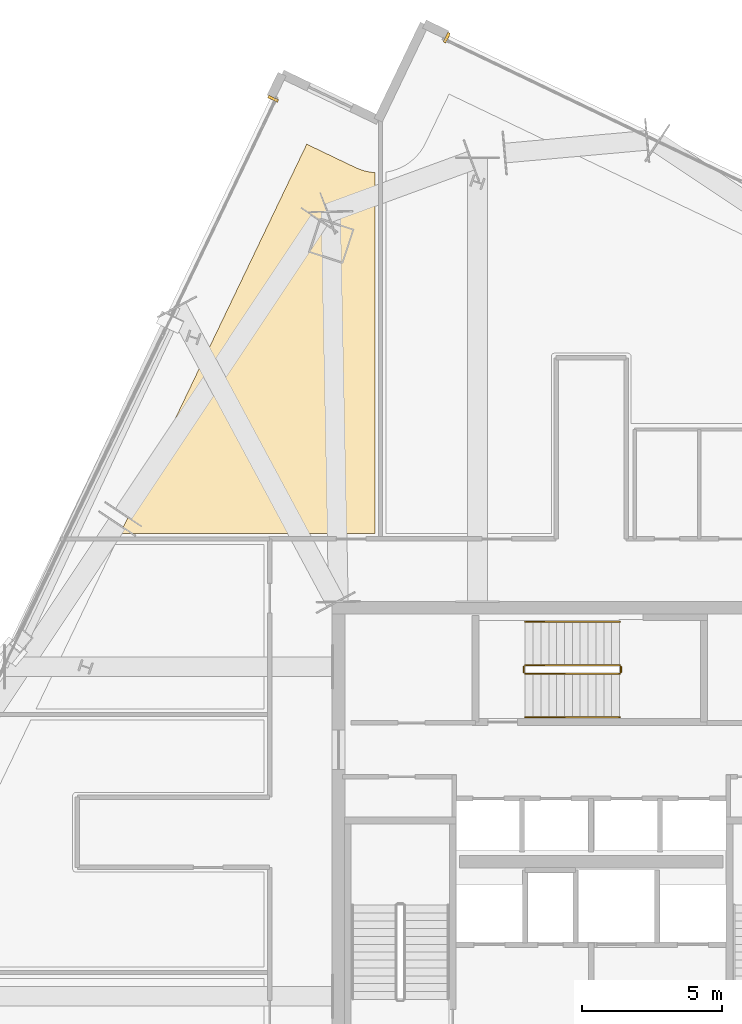
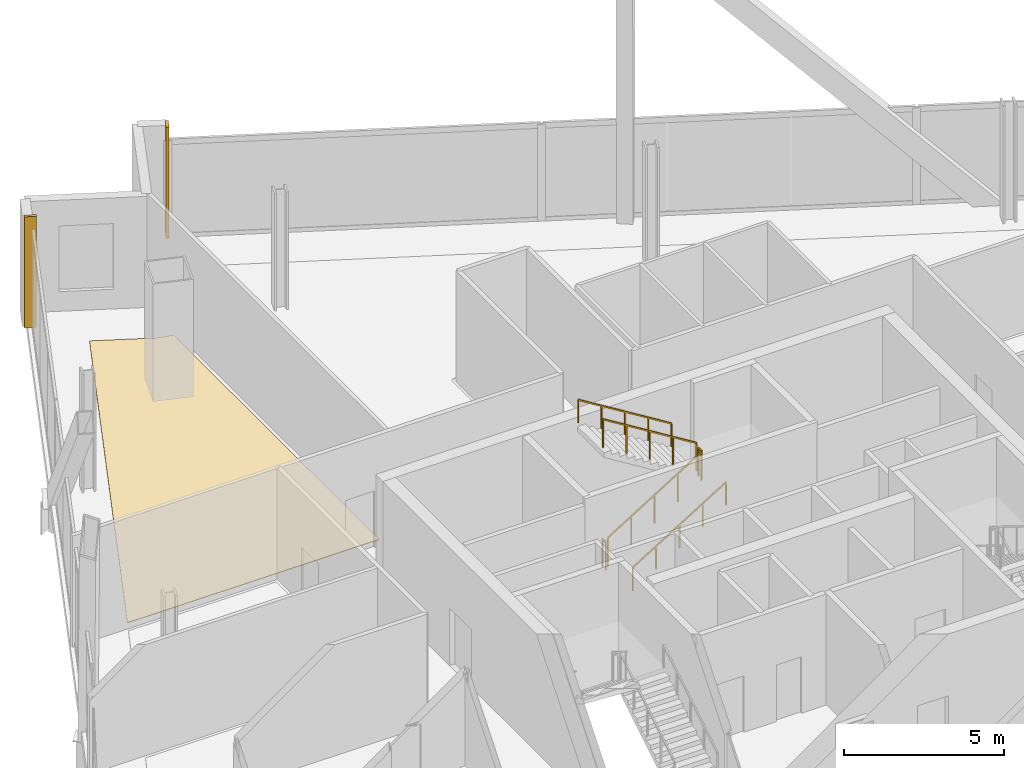
# One storey, part 23 of 24: 6 railings, 3 coverings.
"""IFC4 building model written with IfcOpenShell, lengths in metres."""

from ifc_helpers import new_model, si_unit, direction, frame, origin, origin_2d, place, context, subcontext, project, spatial, polyline, rectangle, outline, extrude, source, transform, mapped, material, layer, layer_set, type_object, element, save


model = new_model("IFC4")

# Units and contexts
model_context = context("Model", 3, precision=1e-05, world=origin(), true_north=direction((0.0, 1.0)))
body_context = subcontext(model_context, "Body", "Model", "MODEL_VIEW")
ifc_project = project(units=[si_unit("LENGTHUNIT", "METRE"), si_unit("AREAUNIT", "SQUARE_METRE"), si_unit("VOLUMEUNIT", "CUBIC_METRE"), si_unit("PLANEANGLEUNIT", "RADIAN"), si_unit("MASSUNIT", "GRAM", prefix="KILO")], contexts=[model_context])

# Site, building, storey
site_placement = place(None, origin())
site = spatial("IfcSite", under=ifc_project, at=site_placement, CompositionType="ELEMENT")
building_placement = place(site_placement, origin())
building = spatial("IfcBuilding", under=site, at=building_placement, Name="Haldenkirk Collegiate Tower", CompositionType="ELEMENT")
storey_placement = place(building_placement, frame((0.0, 0.0, 244.199951171875)))
storey = spatial("IfcBuildingStorey", under=building, at=storey_placement, Name="L61", CompositionType="ELEMENT", Elevation=244.199951171875)

# Covering
ifc_material_1 = material(Name="Polished collegiate terrazzo", Category="concrete")
ifc_layer_1 = layer(ifc_material_1, 0.02490234375)
ifc_layer_set_1 = layer_set([ifc_layer_1], Name="Polished collegiate terrazzo")
covering_type_1 = type_object("IfcCoveringType", Name="COV-FLOOR-TERRAZZO", PredefinedType="FLOORING", material=ifc_layer_set_1)
covering_placement = place(storey_placement, origin())
element("IfcCovering", 1, at=covering_placement, inside=storey, type_object=covering_type_1, Name="L61 academic room finish 04", PredefinedType="FLOORING", context=body_context, shape_type="SweptSolid", body=[
    extrude(outline(polyline([(27.608154296875, 49.6806640625), (27.613525390625, 49.67822265625), (27.77197265625, 49.61181640625), (27.783203125, 49.607666015625), (27.947265625, 49.556884765625), (27.95849609375, 49.553955078125), (28.126708984375, 49.519775390625), (28.138427734375, 49.517822265625), (28.300048828125, 49.501220703125), (28.300048828125, 36.64990234375), (19.22509765625, 36.64990234375), (25.86767578125, 50.514404296875), (27.608154296875, 49.6806640625)])), origin(), (0.0, 0.0, 1.0), 0.025146484375),
])

# Railings
ifc_material_2 = material(Name="Painted architectural tubular steel", Category="steel")
railing_type_1 = type_object("IfcRailingType", Name="RLG-STAIR-GUARD-1100", PredefinedType="BALUSTRADE", material=ifc_material_2)
railing_1_placement = place(storey_placement, frame((33.64990234375, 31.64990234375, 0.173095703125)))
element("IfcRailing", 2, at=railing_1_placement, inside=storey, type_object=railing_type_1, Name="L61 ST-3 stair guard 1", PredefinedType="BALUSTRADE", context=body_context, shape_type="SweptSolid", body=[
    extrude(rectangle(XDim=0.048095703125, YDim=0.048095703125, at=origin_2d()), frame((0.0, 0.0, 1.076171875), z_axis=(0.850623216509, 0.0, 0.525775754039), x_axis=(0.0, 1.0, 0.0)), (0.0, 0.0, 1.0), 3.9501953125),
    extrude(rectangle(XDim=0.0419921875, YDim=0.0419921875, at=origin_2d()), origin(), (0.0, 0.0, 1.0), 1.052001953125),
    extrude(rectangle(XDim=0.0419921875, YDim=0.0419921875, at=origin_2d()), frame((0.840087890625, 0.0, 0.519287109375)), (0.0, 0.0, 1.0), 1.052001953125),
    extrude(rectangle(XDim=0.0419921875, YDim=0.0419921875, at=origin_2d()), frame((1.68017578125, 0.0, 1.03857421875)), (0.0, 0.0, 1.0), 1.052001953125),
    extrude(rectangle(XDim=0.0419921875, YDim=0.0419921875, at=origin_2d()), frame((2.52001953125, 0.0, 1.5576171875)), (0.0, 0.0, 1.0), 1.052001953125),
    extrude(rectangle(XDim=0.0419921875, YDim=0.0419921875, at=origin_2d()), frame((3.360107421875, 0.0, 2.076904296875)), (0.0, 0.0, 1.0), 1.052001953125),
])
railing_2_placement = place(storey_placement, frame((37.06005859375, 31.699951171875, 2.25)))
element("IfcRailing", 3, at=railing_2_placement, inside=storey, type_object=railing_type_1, Name="L61 ST-3 stair guard 2", PredefinedType="BALUSTRADE", context=body_context, shape_type="SweptSolid", body=[
    extrude(rectangle(XDim=0.048095703125, YDim=0.048095703125, at=origin_2d()), frame((0.0, 0.0, 1.076171875), z_axis=(0.0, 1.0, 0.0), x_axis=(-1.0, 0.0, 0.0)), (0.0, 0.0, 1.0), 0.199951171875),
    extrude(rectangle(XDim=0.0419921875, YDim=0.0419921875, at=origin_2d()), origin(), (0.0, 0.0, 1.0), 1.052001953125),
    extrude(rectangle(XDim=0.0419921875, YDim=0.0419921875, at=origin_2d()), frame((0.0, 0.199951171875, 0.0)), (0.0, 0.0, 1.0), 1.052001953125),
])
railing_3_placement = place(storey_placement, frame((37.010009765625, 31.949951171875, 2.423095703125)))
element("IfcRailing", 4, at=railing_3_placement, inside=storey, type_object=railing_type_1, Name="L61 ST-3 stair guard 3", PredefinedType="BALUSTRADE", context=body_context, shape_type="SweptSolid", body=[
    extrude(rectangle(XDim=0.048095703125, YDim=0.048095703125, at=origin_2d()), frame((0.0, 0.0, 1.076171875), z_axis=(-0.850623216509, 0.0, 0.525775754039), x_axis=(0.0, -1.0, 0.0)), (0.0, 0.0, 1.0), 3.9501953125),
    extrude(rectangle(XDim=0.0419921875, YDim=0.0419921875, at=origin_2d()), origin(), (0.0, 0.0, 1.0), 1.052001953125),
    extrude(rectangle(XDim=0.0419921875, YDim=0.0419921875, at=origin_2d()), frame((-0.840087890625, 0.0, 0.519287109375)), (0.0, 0.0, 1.0), 1.052001953125),
    extrude(rectangle(XDim=0.0419921875, YDim=0.0419921875, at=origin_2d()), frame((-1.68017578125, 0.0, 1.03857421875)), (0.0, 0.0, 1.0), 1.052001953125),
    extrude(rectangle(XDim=0.0419921875, YDim=0.0419921875, at=origin_2d()), frame((-2.52001953125, 0.0, 1.5576171875)), (0.0, 0.0, 1.0), 1.052001953125),
    extrude(rectangle(XDim=0.0419921875, YDim=0.0419921875, at=origin_2d()), frame((-3.360107421875, 0.0, 2.076904296875)), (0.0, 0.0, 1.0), 1.052001953125),
])
railing_4_placement = place(storey_placement, frame((33.60009765625, 31.699951171875, 0.0)))
element("IfcRailing", 5, at=railing_4_placement, inside=storey, type_object=railing_type_1, Name="L61 ST-3 stair guard 4", PredefinedType="BALUSTRADE", context=body_context, shape_type="SweptSolid", body=[
    extrude(rectangle(XDim=0.048095703125, YDim=0.048095703125, at=origin_2d()), frame((0.0, 0.0, 1.076171875), z_axis=(0.0, 1.0, 0.0), x_axis=(-1.0, 0.0, 0.0)), (0.0, 0.0, 1.0), 0.199951171875),
    extrude(rectangle(XDim=0.0419921875, YDim=0.0419921875, at=origin_2d()), origin(), (0.0, 0.0, 1.0), 1.052001953125),
    extrude(rectangle(XDim=0.0419921875, YDim=0.0419921875, at=origin_2d()), frame((0.0, 0.199951171875, 0.0)), (0.0, 0.0, 1.0), 1.052001953125),
])
railing_type_2 = type_object("IfcRailingType", Name="RLG-STAIR-HANDRAIL-900", PredefinedType="HANDRAIL", material=ifc_material_2)
railing_5_placement = place(storey_placement, frame((33.64990234375, 30.10009765625, 0.173095703125)))
element("IfcRailing", 6, at=railing_5_placement, inside=storey, type_object=railing_type_2, Name="L61 ST-3 stair handrail 1", PredefinedType="HANDRAIL", context=body_context, shape_type="SweptSolid", body=[
    extrude(rectangle(XDim=0.048095703125, YDim=0.048095703125, at=origin_2d()), frame((0.0, 0.0, 0.8759765625), z_axis=(0.850623216509, 0.0, 0.525775754039), x_axis=(0.0, 1.0, 0.0)), (0.0, 0.0, 1.0), 3.9501953125),
    extrude(rectangle(XDim=0.0419921875, YDim=0.0419921875, at=origin_2d()), origin(), (0.0, 0.0, 1.0), 0.851806640625),
    extrude(rectangle(XDim=0.0419921875, YDim=0.0419921875, at=origin_2d()), frame((0.840087890625, 0.0, 0.519287109375)), (0.0, 0.0, 1.0), 0.851806640625),
    extrude(rectangle(XDim=0.0419921875, YDim=0.0419921875, at=origin_2d()), frame((1.68017578125, 0.0, 1.03857421875)), (0.0, 0.0, 1.0), 0.851806640625),
    extrude(rectangle(XDim=0.0419921875, YDim=0.0419921875, at=origin_2d()), frame((2.52001953125, 0.0, 1.5576171875)), (0.0, 0.0, 1.0), 0.851806640625),
    extrude(rectangle(XDim=0.0419921875, YDim=0.0419921875, at=origin_2d()), frame((3.360107421875, 0.0, 2.076904296875)), (0.0, 0.0, 1.0), 0.851806640625),
])
railing_6_placement = place(storey_placement, frame((37.010009765625, 33.5, 2.423095703125)))
element("IfcRailing", 7, at=railing_6_placement, inside=storey, type_object=railing_type_2, Name="L61 ST-3 stair handrail 2", PredefinedType="HANDRAIL", context=body_context, shape_type="SweptSolid", body=[
    extrude(rectangle(XDim=0.048095703125, YDim=0.048095703125, at=origin_2d()), frame((0.0, 0.0, 0.8759765625), z_axis=(-0.850623216509, 0.0, 0.525775754039), x_axis=(0.0, -1.0, 0.0)), (0.0, 0.0, 1.0), 3.9501953125),
    extrude(rectangle(XDim=0.0419921875, YDim=0.0419921875, at=origin_2d()), origin(), (0.0, 0.0, 1.0), 0.851806640625),
    extrude(rectangle(XDim=0.0419921875, YDim=0.0419921875, at=origin_2d()), frame((-0.840087890625, 0.0, 0.519287109375)), (0.0, 0.0, 1.0), 0.851806640625),
    extrude(rectangle(XDim=0.0419921875, YDim=0.0419921875, at=origin_2d()), frame((-1.68017578125, 0.0, 1.03857421875)), (0.0, 0.0, 1.0), 0.851806640625),
    extrude(rectangle(XDim=0.0419921875, YDim=0.0419921875, at=origin_2d()), frame((-2.52001953125, 0.0, 1.5576171875)), (0.0, 0.0, 1.0), 0.851806640625),
    extrude(rectangle(XDim=0.0419921875, YDim=0.0419921875, at=origin_2d()), frame((-3.360107421875, 0.0, 2.076904296875)), (0.0, 0.0, 1.0), 0.851806640625),
])

# Coverings
ifc_material_3 = material(Name="Anodised architectural bronze aluminium", Category="aluminium")
ifc_layer_2 = layer(ifc_material_3, 0.06005859375)
ifc_layer_set_2 = layer_set([ifc_layer_2], Name="Anodised architectural bronze aluminium")
covering_type_2 = type_object("IfcCoveringType", Name="COV-CLAD-BRONZE-60", PredefinedType="CLADDING", material=ifc_layer_set_2)
shared_shape = source(origin(), body_context, "Body", "SweptSolid", [
    extrude(rectangle(XDim=0.10009765625, YDim=0.3798828125, at=origin_2d()), origin(), (0.0, 0.0, 1.0), 4.22998046875),
])
for number, where, z_axis, x_axis, name in (
    (8, (30.85791015625, 54.31103515625, 0.0), (0.0, 0.0, 1.0), (0.901832526405, -0.432085748802, 0.0), "L61 recessed curtain-wall bronze jamb closure EJL"),
    (9, (24.668701171875, 52.131591796875, 0.0), (0.0, 0.0, 1.0), (0.432085748802, 0.901832526405, 0.0), "L61 recessed curtain-wall bronze jamb closure NJR"),
):
    element("IfcCovering", number, at=place(storey_placement, frame(where, z_axis=z_axis, x_axis=x_axis)), inside=storey, type_object=covering_type_2, Name=name, PredefinedType="CLADDING", context=body_context, shape_type="MappedRepresentation", body=[
        mapped(shared_shape, transform((0.0, 0.0, 0.0), x_axis=(1.0, 0.0, 0.0), y_axis=(0.0, 1.0, 0.0), z_axis=(0.0, 0.0, 1.0), scale=1.0)),
    ])

save(model, "model.ifc")
